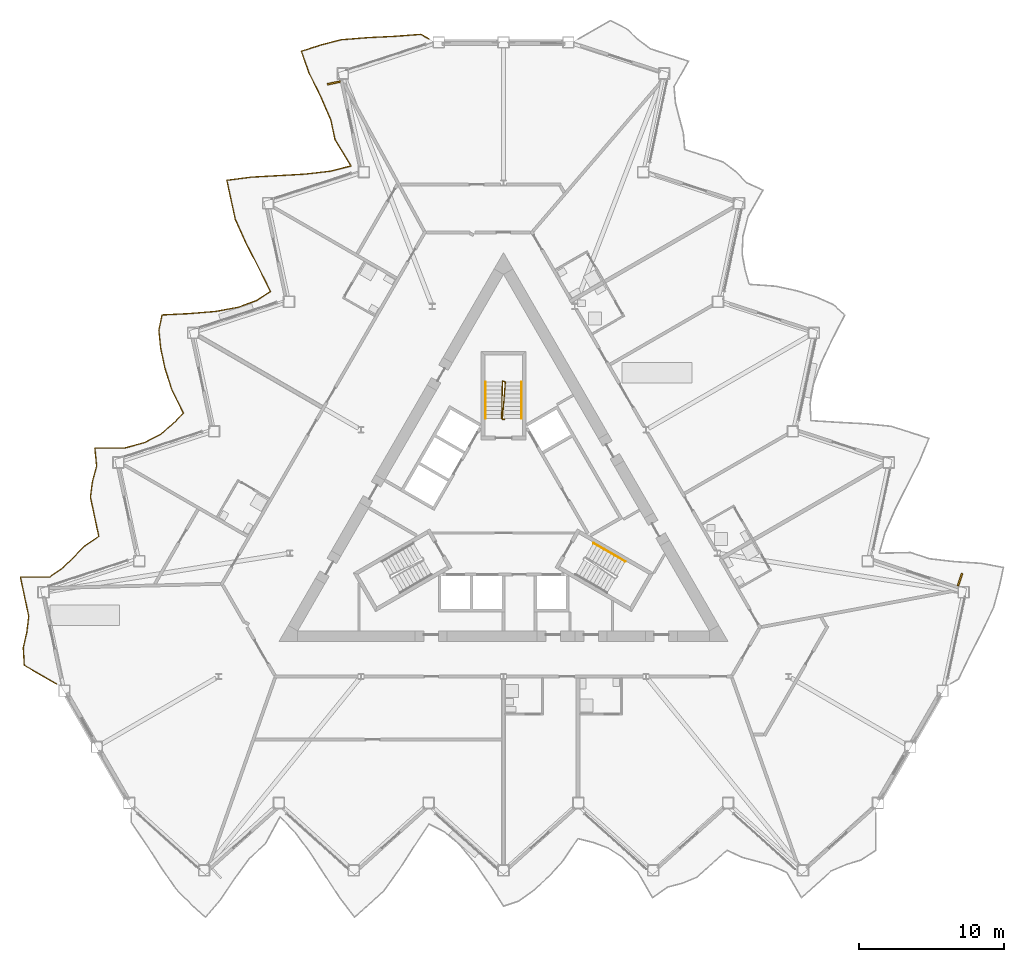
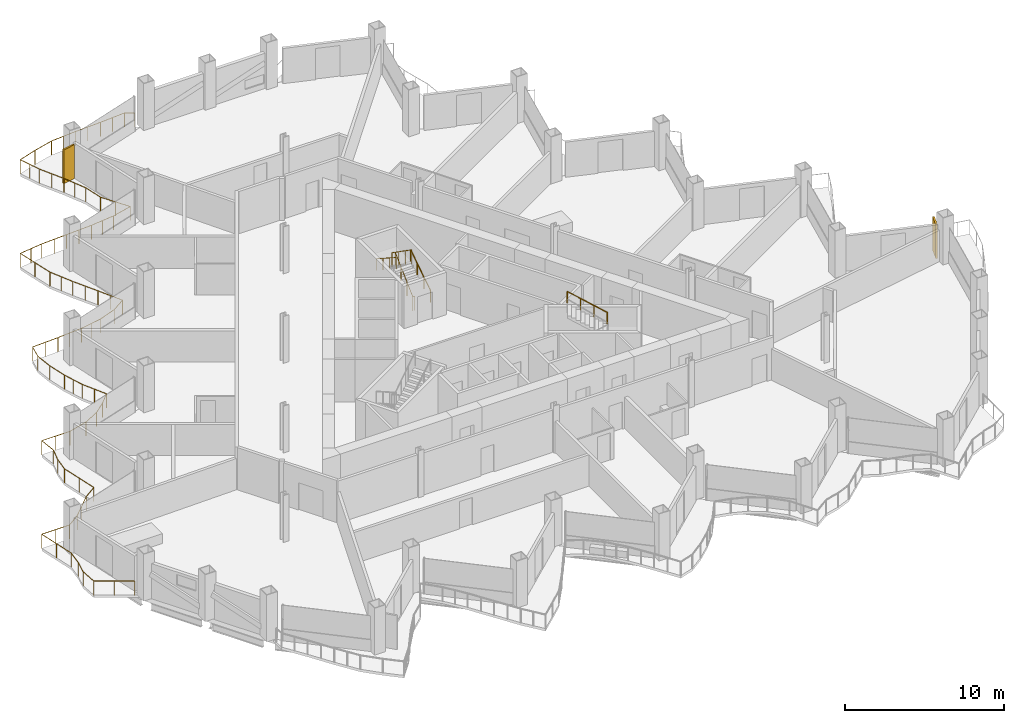
# One storey, part 19 of 22: 5 railings, 2 shading devices.
"""IFC4 building model written with IfcOpenShell, lengths in metres."""

from ifc_helpers import new_model, si_unit, direction, frame, origin, origin_2d, place, context, subcontext, project, spatial, rectangle, circle, extrude, material, layer, layer_set, type_object, element, save


model = new_model("IFC4")

# Units and contexts
model_context = context("Model", 3, precision=1e-05, world=origin(), true_north=direction((0.0, 1.0)))
body_context = subcontext(model_context, "Body", "Model", "MODEL_VIEW")
ifc_project = project(units=[si_unit("LENGTHUNIT", "METRE"), si_unit("AREAUNIT", "SQUARE_METRE"), si_unit("VOLUMEUNIT", "CUBIC_METRE"), si_unit("PLANEANGLEUNIT", "RADIAN"), si_unit("MASSUNIT", "GRAM", prefix="KILO")], contexts=[model_context])

# Site, building, storey
site_placement = place(None, origin())
site = spatial("IfcSite", under=ifc_project, at=site_placement, CompositionType="ELEMENT")
building_placement = place(site_placement, origin())
building = spatial("IfcBuilding", under=site, at=building_placement, Name="Cormorant Prow Tower", CompositionType="ELEMENT")
storey_placement = place(building_placement, frame((0.0, 0.0, 194.39990234375)))
storey = spatial("IfcBuildingStorey", under=building, at=storey_placement, Name="L42", CompositionType="ELEMENT", Elevation=194.39990234375)

# Railings
ifc_material_1 = material(Name="Aluminium 6063-T6", Category="aluminium")
railing_type_1 = type_object("IfcRailingType", Name="Balcony guard 1100", PredefinedType="GUARDRAIL", material=ifc_material_1)
railing_1_placement = place(storey_placement, frame((-5.148681640625, 32.639892578125, 0.0)))
element("IfcRailing", 1, at=railing_1_placement, inside=storey, type_object=railing_type_1, Name="Balcony guard WNW", PredefinedType="GUARDRAIL", context=body_context, shape_type="SweptSolid", body=[
    extrude(circle(Radius=0.02392578125, at=origin_2d()), frame((0.0, 0.0, 1.076171875), z_axis=(-0.866038622153, 0.499977104415, 0.0), x_axis=(-0.499977104415, -0.866038622153, 0.0)), (0.0, 0.0, 1.0), 0.63623046875),
    extrude(circle(Radius=0.02392578125, at=origin_2d()), frame((-0.551025390625, 0.318115234375, 1.076171875), z_axis=(-0.997242522475, -0.074211531238, 0.0), x_axis=(0.074211531238, -0.997242522475, 0.0)), (0.0, 0.0, 1.0), 1.825927734375),
    extrude(circle(Radius=0.02392578125, at=origin_2d()), frame((-2.371826171875, 0.1826171875, 1.076171875), z_axis=(-0.998823470509, -0.048494069334, 0.0), x_axis=(0.048494069334, -0.998823470509, 0.0)), (0.0, 0.0, 1.0), 1.89794921875),
    extrude(circle(Radius=0.02392578125, at=origin_2d()), frame((-4.267578125, 0.090576171875, 1.076171875), z_axis=(-0.996760989891, -0.080420948961, 0.0), x_axis=(0.080420948961, -0.996760989891, 0.0)), (0.0, 0.0, 1.0), 1.809326171875),
    extrude(circle(Radius=0.02392578125, at=origin_2d()), frame((-6.071044921875, -0.054931640625, 1.076171875), z_axis=(-0.967608412094, -0.2524558592, 0.0), x_axis=(0.2524558592, -0.967608412094, 0.0)), (0.0, 0.0, 1.0), 1.463134765625),
    extrude(circle(Radius=0.02392578125, at=origin_2d()), frame((-7.48681640625, -0.42431640625, 1.076171875), z_axis=(-0.951022391845, -0.309121998909, 0.0), x_axis=(0.309121998909, -0.951022391845, 0.0)), (0.0, 0.0, 1.0), 1.3828125),
    extrude(circle(Radius=0.02392578125, at=origin_2d()), frame((-8.802001953125, -0.851806640625, 1.076171875), z_axis=(0.332771631178, -0.943007445084, 0.0), x_axis=(0.943007445084, 0.332771631178, 0.0)), (0.0, 0.0, 1.0), 1.580322265625),
    extrude(circle(Radius=0.02392578125, at=origin_2d()), frame((-8.276123046875, -2.342041015625, 1.076171875), z_axis=(0.443787456964, -0.896132073436, 0.0), x_axis=(0.896132073436, 0.443787456964, 0.0)), (0.0, 0.0, 1.0), 1.8544921875),
    extrude(circle(Radius=0.02392578125, at=origin_2d()), frame((-7.453125, -4.00390625, 1.076171875), z_axis=(0.39655279315, -0.918011918357, 0.0), x_axis=(0.918011918357, 0.39655279315, 0.0)), (0.0, 0.0, 1.0), 1.721923828125),
    extrude(circle(Radius=0.02392578125, at=origin_2d()), frame((-6.770263671875, -5.584716796875, 1.076171875), z_axis=(0.207949539051, -0.978139555078, 0.0), x_axis=(0.978139555078, 0.207949539051, 0.0)), (0.0, 0.0, 1.0), 1.383056640625),
    extrude(circle(Radius=0.02392578125, at=origin_2d()), frame((-6.482666015625, -6.9375, 1.076171875), z_axis=(0.51860821438, -0.855011999903, 0.0), x_axis=(0.855011999903, 0.51860821438, 0.0)), (0.0, 0.0, 1.0), 2.1357421875),
    extrude(circle(Radius=0.02392578125, at=origin_2d()), frame((-5.375, -8.763671875, 1.076171875), z_axis=(-0.969967286185, -0.243235408052, 0.0), x_axis=(0.243235408052, -0.969967286185, 0.0)), (0.0, 0.0, 1.0), 1.4775390625),
    extrude(circle(Radius=0.02392578125, at=origin_2d()), frame((-6.80810546875, -9.123046875, 1.076171875), z_axis=(-0.993265315285, -0.115862044915, 0.0), x_axis=(0.115862044915, -0.993265315285, 0.0)), (0.0, 0.0, 1.0), 1.721435546875),
    extrude(circle(Radius=0.02392578125, at=origin_2d()), frame((-8.51806640625, -9.322509765625, 1.076171875), z_axis=(-0.998433411104, -0.055952869383, 0.0), x_axis=(0.055952869383, -0.998433411104, 0.0)), (0.0, 0.0, 1.0), 1.876220703125),
    extrude(circle(Radius=0.02392578125, at=origin_2d()), frame((-10.391357421875, -9.427490234375, 1.076171875), z_axis=(-0.998473917149, -0.055225327276, 0.0), x_axis=(0.055225327276, -0.998473917149, 0.0)), (0.0, 0.0, 1.0), 1.87890625),
    extrude(circle(Radius=0.02392578125, at=origin_2d()), frame((-12.267333984375, -9.53125, 1.076171875), z_axis=(-0.991411402956, -0.130780082923, 0.0), x_axis=(0.130780082923, -0.991411402956, 0.0)), (0.0, 0.0, 1.0), 1.6875),
    extrude(circle(Radius=0.02392578125, at=origin_2d()), frame((-13.9404296875, -9.751953125, 1.076171875), z_axis=(0.207985451478, -0.978131919515, 0.0), x_axis=(0.978131919515, 0.207985451478, 0.0)), (0.0, 0.0, 1.0), 1.3828125),
    extrude(circle(Radius=0.02392578125, at=origin_2d()), frame((-13.65283203125, -11.1044921875, 1.076171875), z_axis=(0.214701160667, -0.9766797897, 0.0), x_axis=(0.9766797897, 0.214701160667, 0.0)), (0.0, 0.0, 1.0), 1.391845703125),
    extrude(circle(Radius=0.02392578125, at=origin_2d()), frame((-13.35400390625, -12.4638671875, 1.076171875), z_axis=(0.413094281696, -0.910688264133, 0.0), x_axis=(0.910688264133, 0.413094281696, 0.0)), (0.0, 0.0, 1.0), 1.765380859375),
    extrude(circle(Radius=0.02392578125, at=origin_2d()), frame((-12.624755859375, -14.071533203125, 1.076171875), z_axis=(0.45514973484, -0.890414913888, 0.0), x_axis=(0.890414913888, 0.45514973484, 0.0)), (0.0, 0.0, 1.0), 1.890869140625),
    extrude(circle(Radius=0.02392578125, at=origin_2d()), frame((-11.76416015625, -15.755126953125, 1.076171875), z_axis=(0.445004946101, -0.895528111198, 0.0), x_axis=(0.895528111198, 0.445004946101, 0.0)), (0.0, 0.0, 1.0), 1.858154296875),
    extrude(circle(Radius=0.02392578125, at=origin_2d()), frame((-10.937255859375, -17.419189453125, 1.076171875), z_axis=(-0.837454583753, -0.546506925987, 0.0), x_axis=(0.546506925987, -0.837454583753, 0.0)), (0.0, 0.0, 1.0), 1.152099609375),
    extrude(circle(Radius=0.02392578125, at=origin_2d()), frame((-11.902099609375, -18.048828125, 1.076171875), z_axis=(-0.938221470965, -0.346035361518, 0.0), x_axis=(0.346035361518, -0.938221470965, 0.0)), (0.0, 0.0, 1.0), 1.3369140625),
    extrude(circle(Radius=0.02392578125, at=origin_2d()), frame((-13.156494140625, -18.511474609375, 1.076171875), z_axis=(-0.98375897947, -0.179494485466, 0.0), x_axis=(0.179494485466, -0.98375897947, 0.0)), (0.0, 0.0, 1.0), 1.58740234375),
    extrude(circle(Radius=0.02392578125, at=origin_2d()), frame((-14.718017578125, -18.79638671875, 1.076171875), z_axis=(-0.996586702739, -0.082552673638, 0.0), x_axis=(0.082552673638, -0.996586702739, 0.0)), (0.0, 0.0, 1.0), 1.803955078125),
    extrude(circle(Radius=0.02392578125, at=origin_2d()), frame((-16.515869140625, -18.9453125, 1.076171875), z_axis=(-0.998816623343, -0.048634894193, 0.0), x_axis=(0.048634894193, -0.998816623343, 0.0)), (0.0, 0.0, 1.0), 1.8974609375),
    extrude(circle(Radius=0.02392578125, at=origin_2d()), frame((-18.4111328125, -19.03759765625, 1.076171875), z_axis=(-0.206397409922, -0.978468246382, 0.0), x_axis=(0.978468246382, -0.206397409922, 0.0)), (0.0, 0.0, 1.0), 1.0810546875),
    extrude(circle(Radius=0.02392578125, at=origin_2d()), frame((-18.63427734375, -20.095458984375, 1.076171875), z_axis=(0.102761274758, -0.994706047237, 0.0), x_axis=(0.994706047237, 0.102761274758, 0.0)), (0.0, 0.0, 1.0), 1.268798828125),
    extrude(circle(Radius=0.02392578125, at=origin_2d()), frame((-18.50390625, -21.357421875, 1.076171875), z_axis=(0.207949539051, -0.978139555078, 0.0), x_axis=(0.978139555078, 0.207949539051, 0.0)), (0.0, 0.0, 1.0), 1.383056640625),
    extrude(circle(Radius=0.02392578125, at=origin_2d()), frame((-18.21630859375, -22.710205078125, 1.076171875), z_axis=(0.303626216772, -0.952791226077, 0.0), x_axis=(0.952791226077, 0.303626216772, 0.0)), (0.0, 0.0, 1.0), 1.526123046875),
    extrude(circle(Radius=0.02392578125, at=origin_2d()), frame((-17.7529296875, -24.164306640625, 1.076171875), z_axis=(0.437991459779, -0.898979132773, 0.0), x_axis=(0.898979132773, 0.437991459779, 0.0)), (0.0, 0.0, 1.0), 1.836669921875),
    extrude(circle(Radius=0.02392578125, at=origin_2d()), frame((-16.948486328125, -25.8154296875, 1.076171875), z_axis=(-0.69478777772, -0.719214810701, 0.0), x_axis=(0.719214810701, -0.69478777772, 0.0)), (0.0, 0.0, 1.0), 1.059326171875),
    extrude(circle(Radius=0.02392578125, at=origin_2d()), frame((-17.6845703125, -26.577392578125, 1.076171875), z_axis=(-0.767709135286, -0.640798473468, 0.0), x_axis=(0.640798473468, -0.767709135286, 0.0)), (0.0, 0.0, 1.0), 1.094482421875),
    extrude(circle(Radius=0.02392578125, at=origin_2d()), frame((-18.52490234375, -27.27880859375, 1.076171875), z_axis=(-0.887141360466, -0.461497786072, 0.0), x_axis=(0.461497786072, -0.887141360466, 0.0)), (0.0, 0.0, 1.0), 1.21875),
    extrude(circle(Radius=0.02392578125, at=origin_2d()), frame((-19.606201171875, -27.84130859375, 1.076171875), z_axis=(-0.96382778081, -0.266525812894, 0.0), x_axis=(0.266525812894, -0.96382778081, 0.0)), (0.0, 0.0, 1.0), 1.44189453125),
    extrude(circle(Radius=0.02392578125, at=origin_2d()), frame((-20.995849609375, -28.2255859375, 1.076171875), z_axis=(-0.999999653356, -0.000832639178, 0.0), x_axis=(0.000832639178, -0.999999653356, 0.0)), (0.0, 0.0, 1.0), 2.052490234375),
    extrude(circle(Radius=0.02392578125, at=origin_2d()), frame((-23.04833984375, -28.227294921875, 1.076171875), z_axis=(0.094480173238, -0.99552674342, 0.0), x_axis=(0.99552674342, 0.094480173238, 0.0)), (0.0, 0.0, 1.0), 1.260986328125),
    extrude(circle(Radius=0.02392578125, at=origin_2d()), frame((-22.92919921875, -29.482666015625, 1.076171875), z_axis=(-0.266754217581, -0.963764591279, 0.0), x_axis=(0.963764591279, -0.266754217581, 0.0)), (0.0, 0.0, 1.0), 1.061767578125),
    extrude(circle(Radius=0.02392578125, at=origin_2d()), frame((-23.21240234375, -30.505859375, 1.076171875), z_axis=(-0.128026984945, -0.991770684748, 0.0), x_axis=(0.991770684748, -0.128026984945, 0.0)), (0.0, 0.0, 1.0), 1.11376953125),
    extrude(circle(Radius=0.02392578125, at=origin_2d()), frame((-23.35498046875, -31.6103515625, 1.076171875), z_axis=(0.207985451478, -0.978131919515, 0.0), x_axis=(0.978131919515, 0.207985451478, 0.0)), (0.0, 0.0, 1.0), 1.3828125),
    extrude(circle(Radius=0.02392578125, at=origin_2d()), frame((-23.0673828125, -32.962890625, 1.076171875), z_axis=(0.207780635717, -0.978175448179, 0.0), x_axis=(0.978175448179, 0.207780635717, 0.0)), (0.0, 0.0, 1.0), 1.383056640625),
    extrude(circle(Radius=0.02392578125, at=origin_2d()), frame((-22.780029296875, -34.315673828125, 1.076171875), z_axis=(-0.822377714509, -0.568941908, 0.0), x_axis=(0.568941908, -0.822377714509, 0.0)), (0.0, 0.0, 1.0), 1.13671875),
    extrude(circle(Radius=0.02392578125, at=origin_2d()), frame((-23.71484375, -34.96240234375, 1.076171875), z_axis=(-0.7061881636, -0.708024206924, 0.0), x_axis=(0.708024206924, -0.7061881636, 0.0)), (0.0, 0.0, 1.0), 1.063720703125),
    extrude(circle(Radius=0.02392578125, at=origin_2d()), frame((-24.466064453125, -35.715576171875, 1.076171875), z_axis=(-0.713599333465, -0.700554060211, 0.0), x_axis=(0.700554060211, -0.713599333465, 0.0)), (0.0, 0.0, 1.0), 1.066650390625),
    extrude(circle(Radius=0.02392578125, at=origin_2d()), frame((-25.227294921875, -36.462890625, 1.076171875), z_axis=(-0.820009529366, -0.572349868306, 0.0), x_axis=(0.572349868306, -0.820009529366, 0.0)), (0.0, 0.0, 1.0), 1.134765625),
    extrude(circle(Radius=0.02392578125, at=origin_2d()), frame((-26.15771484375, -37.1123046875, 1.076171875), z_axis=(-0.99997218211, -0.007458887788, 0.0), x_axis=(0.007458887788, -0.99997218211, 0.0)), (0.0, 0.0, 1.0), 2.029296875),
    extrude(circle(Radius=0.02392578125, at=origin_2d()), frame((-28.18701171875, -37.12744140625, 1.076171875), z_axis=(0.207985451478, -0.978131919515, 0.0), x_axis=(0.978131919515, 0.207985451478, 0.0)), (0.0, 0.0, 1.0), 1.3828125),
    extrude(circle(Radius=0.02392578125, at=origin_2d()), frame((-27.8994140625, -38.47998046875, 1.076171875), z_axis=(0.207949539051, -0.978139555078, 0.0), x_axis=(0.978139555078, 0.207949539051, 0.0)), (0.0, 0.0, 1.0), 1.383056640625),
    extrude(circle(Radius=0.02392578125, at=origin_2d()), frame((-27.61181640625, -39.832763671875, 1.076171875), z_axis=(-0.119248565698, -0.992864431621, 0.0), x_axis=(0.992864431621, -0.119248565698, 0.0)), (0.0, 0.0, 1.0), 1.117919921875),
    extrude(circle(Radius=0.02392578125, at=origin_2d()), frame((-27.7451171875, -40.942626953125, 1.076171875), z_axis=(-0.225656072013, -0.974207029929, 0.0), x_axis=(0.974207029929, -0.225656072013, 0.0)), (0.0, 0.0, 1.0), 1.074462890625),
    extrude(circle(Radius=0.02392578125, at=origin_2d()), frame((-27.987548828125, -41.9892578125, 1.076171875), z_axis=(0.056240462281, -0.998417252657, 0.0), x_axis=(0.998417252657, 0.056240462281, 0.0)), (0.0, 0.0, 1.0), 1.228515625),
    extrude(circle(Radius=0.02392578125, at=origin_2d()), frame((-27.91845703125, -43.2158203125, 1.076171875), z_axis=(0.866013163002, -0.500021201058, 0.0), x_axis=(0.500021201058, 0.866013163002, 0.0)), (0.0, 0.0, 1.0), 2.5703125),
    extrude(circle(Radius=0.02099609375, at=origin_2d()), origin(), (0.0, 0.0, 1.0), 1.052001953125),
    extrude(circle(Radius=0.02099609375, at=origin_2d()), frame((-0.551025390625, 0.318115234375, 0.0)), (0.0, 0.0, 1.0), 1.052001953125),
    extrude(circle(Radius=0.02099609375, at=origin_2d()), frame((-1.46142578125, 0.25048828125, 0.0)), (0.0, 0.0, 1.0), 1.052001953125),
    extrude(circle(Radius=0.02099609375, at=origin_2d()), frame((-2.371826171875, 0.1826171875, 0.0)), (0.0, 0.0, 1.0), 1.052001953125),
    extrude(circle(Radius=0.02099609375, at=origin_2d()), frame((-3.31982421875, 0.13671875, 0.0)), (0.0, 0.0, 1.0), 1.052001953125),
    extrude(circle(Radius=0.02099609375, at=origin_2d()), frame((-4.267578125, 0.090576171875, 0.0)), (0.0, 0.0, 1.0), 1.052001953125),
    extrude(circle(Radius=0.02099609375, at=origin_2d()), frame((-5.16943359375, 0.017822265625, 0.0)), (0.0, 0.0, 1.0), 1.052001953125),
    extrude(circle(Radius=0.02099609375, at=origin_2d()), frame((-6.071044921875, -0.054931640625, 0.0)), (0.0, 0.0, 1.0), 1.052001953125),
    extrude(circle(Radius=0.02099609375, at=origin_2d()), frame((-7.48681640625, -0.42431640625, 0.0)), (0.0, 0.0, 1.0), 1.052001953125),
    extrude(circle(Radius=0.02099609375, at=origin_2d()), frame((-8.802001953125, -0.851806640625, 0.0)), (0.0, 0.0, 1.0), 1.052001953125),
    extrude(circle(Radius=0.02099609375, at=origin_2d()), frame((-8.5390625, -1.596923828125, 0.0)), (0.0, 0.0, 1.0), 1.052001953125),
    extrude(circle(Radius=0.02099609375, at=origin_2d()), frame((-8.276123046875, -2.342041015625, 0.0)), (0.0, 0.0, 1.0), 1.052001953125),
    extrude(circle(Radius=0.02099609375, at=origin_2d()), frame((-7.86474609375, -3.1728515625, 0.0)), (0.0, 0.0, 1.0), 1.052001953125),
    extrude(circle(Radius=0.02099609375, at=origin_2d()), frame((-7.453125, -4.00390625, 0.0)), (0.0, 0.0, 1.0), 1.052001953125),
    extrude(circle(Radius=0.02099609375, at=origin_2d()), frame((-7.11181640625, -4.79443359375, 0.0)), (0.0, 0.0, 1.0), 1.052001953125),
    extrude(circle(Radius=0.02099609375, at=origin_2d()), frame((-6.770263671875, -5.584716796875, 0.0)), (0.0, 0.0, 1.0), 1.052001953125),
    extrude(circle(Radius=0.02099609375, at=origin_2d()), frame((-6.482666015625, -6.9375, 0.0)), (0.0, 0.0, 1.0), 1.052001953125),
    extrude(circle(Radius=0.02099609375, at=origin_2d()), frame((-5.9287109375, -7.8505859375, 0.0)), (0.0, 0.0, 1.0), 1.052001953125),
    extrude(circle(Radius=0.02099609375, at=origin_2d()), frame((-5.375, -8.763671875, 0.0)), (0.0, 0.0, 1.0), 1.052001953125),
    extrude(circle(Radius=0.02099609375, at=origin_2d()), frame((-6.80810546875, -9.123046875, 0.0)), (0.0, 0.0, 1.0), 1.052001953125),
    extrude(circle(Radius=0.02099609375, at=origin_2d()), frame((-7.6630859375, -9.22265625, 0.0)), (0.0, 0.0, 1.0), 1.052001953125),
    extrude(circle(Radius=0.02099609375, at=origin_2d()), frame((-8.51806640625, -9.322509765625, 0.0)), (0.0, 0.0, 1.0), 1.052001953125),
    extrude(circle(Radius=0.02099609375, at=origin_2d()), frame((-9.45458984375, -9.375, 0.0)), (0.0, 0.0, 1.0), 1.052001953125),
    extrude(circle(Radius=0.02099609375, at=origin_2d()), frame((-10.391357421875, -9.427490234375, 0.0)), (0.0, 0.0, 1.0), 1.052001953125),
    extrude(circle(Radius=0.02099609375, at=origin_2d()), frame((-11.329345703125, -9.4794921875, 0.0)), (0.0, 0.0, 1.0), 1.052001953125),
    extrude(circle(Radius=0.02099609375, at=origin_2d()), frame((-12.267333984375, -9.53125, 0.0)), (0.0, 0.0, 1.0), 1.052001953125),
    extrude(circle(Radius=0.02099609375, at=origin_2d()), frame((-13.10400390625, -9.6416015625, 0.0)), (0.0, 0.0, 1.0), 1.052001953125),
    extrude(circle(Radius=0.02099609375, at=origin_2d()), frame((-13.9404296875, -9.751953125, 0.0)), (0.0, 0.0, 1.0), 1.052001953125),
    extrude(circle(Radius=0.02099609375, at=origin_2d()), frame((-13.65283203125, -11.1044921875, 0.0)), (0.0, 0.0, 1.0), 1.052001953125),
    extrude(circle(Radius=0.02099609375, at=origin_2d()), frame((-13.35400390625, -12.4638671875, 0.0)), (0.0, 0.0, 1.0), 1.052001953125),
    extrude(circle(Radius=0.02099609375, at=origin_2d()), frame((-12.9892578125, -13.267578125, 0.0)), (0.0, 0.0, 1.0), 1.052001953125),
    extrude(circle(Radius=0.02099609375, at=origin_2d()), frame((-12.624755859375, -14.071533203125, 0.0)), (0.0, 0.0, 1.0), 1.052001953125),
    extrude(circle(Radius=0.02099609375, at=origin_2d()), frame((-12.1943359375, -14.913330078125, 0.0)), (0.0, 0.0, 1.0), 1.052001953125),
    extrude(circle(Radius=0.02099609375, at=origin_2d()), frame((-11.76416015625, -15.755126953125, 0.0)), (0.0, 0.0, 1.0), 1.052001953125),
    extrude(circle(Radius=0.02099609375, at=origin_2d()), frame((-11.3505859375, -16.587158203125, 0.0)), (0.0, 0.0, 1.0), 1.052001953125),
    extrude(circle(Radius=0.02099609375, at=origin_2d()), frame((-10.937255859375, -17.419189453125, 0.0)), (0.0, 0.0, 1.0), 1.052001953125),
    extrude(circle(Radius=0.02099609375, at=origin_2d()), frame((-11.902099609375, -18.048828125, 0.0)), (0.0, 0.0, 1.0), 1.052001953125),
    extrude(circle(Radius=0.02099609375, at=origin_2d()), frame((-13.156494140625, -18.511474609375, 0.0)), (0.0, 0.0, 1.0), 1.052001953125),
    extrude(circle(Radius=0.02099609375, at=origin_2d()), frame((-13.937255859375, -18.65380859375, 0.0)), (0.0, 0.0, 1.0), 1.052001953125),
    extrude(circle(Radius=0.02099609375, at=origin_2d()), frame((-14.718017578125, -18.79638671875, 0.0)), (0.0, 0.0, 1.0), 1.052001953125),
    extrude(circle(Radius=0.02099609375, at=origin_2d()), frame((-15.616943359375, -18.870849609375, 0.0)), (0.0, 0.0, 1.0), 1.052001953125),
    extrude(circle(Radius=0.02099609375, at=origin_2d()), frame((-16.515869140625, -18.9453125, 0.0)), (0.0, 0.0, 1.0), 1.052001953125),
    extrude(circle(Radius=0.02099609375, at=origin_2d()), frame((-17.46337890625, -18.991455078125, 0.0)), (0.0, 0.0, 1.0), 1.052001953125),
    extrude(circle(Radius=0.02099609375, at=origin_2d()), frame((-18.4111328125, -19.03759765625, 0.0)), (0.0, 0.0, 1.0), 1.052001953125),
    extrude(circle(Radius=0.02099609375, at=origin_2d()), frame((-18.63427734375, -20.095458984375, 0.0)), (0.0, 0.0, 1.0), 1.052001953125),
    extrude(circle(Radius=0.02099609375, at=origin_2d()), frame((-18.50390625, -21.357421875, 0.0)), (0.0, 0.0, 1.0), 1.052001953125),
    extrude(circle(Radius=0.02099609375, at=origin_2d()), frame((-18.21630859375, -22.710205078125, 0.0)), (0.0, 0.0, 1.0), 1.052001953125),
    extrude(circle(Radius=0.02099609375, at=origin_2d()), frame((-17.984619140625, -23.437255859375, 0.0)), (0.0, 0.0, 1.0), 1.052001953125),
    extrude(circle(Radius=0.02099609375, at=origin_2d()), frame((-17.7529296875, -24.164306640625, 0.0)), (0.0, 0.0, 1.0), 1.052001953125),
    extrude(circle(Radius=0.02099609375, at=origin_2d()), frame((-17.3505859375, -24.98974609375, 0.0)), (0.0, 0.0, 1.0), 1.052001953125),
    extrude(circle(Radius=0.02099609375, at=origin_2d()), frame((-16.948486328125, -25.8154296875, 0.0)), (0.0, 0.0, 1.0), 1.052001953125),
    extrude(circle(Radius=0.02099609375, at=origin_2d()), frame((-17.6845703125, -26.577392578125, 0.0)), (0.0, 0.0, 1.0), 1.052001953125),
    extrude(circle(Radius=0.02099609375, at=origin_2d()), frame((-18.52490234375, -27.27880859375, 0.0)), (0.0, 0.0, 1.0), 1.052001953125),
    extrude(circle(Radius=0.02099609375, at=origin_2d()), frame((-19.606201171875, -27.84130859375, 0.0)), (0.0, 0.0, 1.0), 1.052001953125),
    extrude(circle(Radius=0.02099609375, at=origin_2d()), frame((-20.995849609375, -28.2255859375, 0.0)), (0.0, 0.0, 1.0), 1.052001953125),
    extrude(circle(Radius=0.02099609375, at=origin_2d()), frame((-22.02197265625, -28.2265625, 0.0)), (0.0, 0.0, 1.0), 1.052001953125),
    extrude(circle(Radius=0.02099609375, at=origin_2d()), frame((-23.04833984375, -28.227294921875, 0.0)), (0.0, 0.0, 1.0), 1.052001953125),
    extrude(circle(Radius=0.02099609375, at=origin_2d()), frame((-22.92919921875, -29.482666015625, 0.0)), (0.0, 0.0, 1.0), 1.052001953125),
    extrude(circle(Radius=0.02099609375, at=origin_2d()), frame((-23.21240234375, -30.505859375, 0.0)), (0.0, 0.0, 1.0), 1.052001953125),
    extrude(circle(Radius=0.02099609375, at=origin_2d()), frame((-23.35498046875, -31.6103515625, 0.0)), (0.0, 0.0, 1.0), 1.052001953125),
    extrude(circle(Radius=0.02099609375, at=origin_2d()), frame((-23.0673828125, -32.962890625, 0.0)), (0.0, 0.0, 1.0), 1.052001953125),
    extrude(circle(Radius=0.02099609375, at=origin_2d()), frame((-22.780029296875, -34.315673828125, 0.0)), (0.0, 0.0, 1.0), 1.052001953125),
    extrude(circle(Radius=0.02099609375, at=origin_2d()), frame((-23.71484375, -34.96240234375, 0.0)), (0.0, 0.0, 1.0), 1.052001953125),
    extrude(circle(Radius=0.02099609375, at=origin_2d()), frame((-24.466064453125, -35.715576171875, 0.0)), (0.0, 0.0, 1.0), 1.052001953125),
    extrude(circle(Radius=0.02099609375, at=origin_2d()), frame((-25.227294921875, -36.462890625, 0.0)), (0.0, 0.0, 1.0), 1.052001953125),
    extrude(circle(Radius=0.02099609375, at=origin_2d()), frame((-26.15771484375, -37.1123046875, 0.0)), (0.0, 0.0, 1.0), 1.052001953125),
    extrude(circle(Radius=0.02099609375, at=origin_2d()), frame((-27.17236328125, -37.119873046875, 0.0)), (0.0, 0.0, 1.0), 1.052001953125),
    extrude(circle(Radius=0.02099609375, at=origin_2d()), frame((-28.18701171875, -37.12744140625, 0.0)), (0.0, 0.0, 1.0), 1.052001953125),
    extrude(circle(Radius=0.02099609375, at=origin_2d()), frame((-27.8994140625, -38.47998046875, 0.0)), (0.0, 0.0, 1.0), 1.052001953125),
    extrude(circle(Radius=0.02099609375, at=origin_2d()), frame((-27.61181640625, -39.832763671875, 0.0)), (0.0, 0.0, 1.0), 1.052001953125),
    extrude(circle(Radius=0.02099609375, at=origin_2d()), frame((-27.7451171875, -40.942626953125, 0.0)), (0.0, 0.0, 1.0), 1.052001953125),
    extrude(circle(Radius=0.02099609375, at=origin_2d()), frame((-27.987548828125, -41.9892578125, 0.0)), (0.0, 0.0, 1.0), 1.052001953125),
    extrude(circle(Radius=0.02099609375, at=origin_2d()), frame((-27.91845703125, -43.2158203125, 0.0)), (0.0, 0.0, 1.0), 1.052001953125),
    extrude(circle(Radius=0.02099609375, at=origin_2d()), frame((-26.8056640625, -43.8583984375, 0.0)), (0.0, 0.0, 1.0), 1.052001953125),
    extrude(circle(Radius=0.02099609375, at=origin_2d()), frame((-25.692626953125, -44.5009765625, 0.0)), (0.0, 0.0, 1.0), 1.052001953125),
])
ifc_material_2 = material(Name="Stainless steel", Category="steel")
railing_type_2 = type_object("IfcRailingType", Name="Stair guard 1100", PredefinedType="GUARDRAIL", material=ifc_material_2)
railing_2_placement = place(storey_placement, frame((0.074951171875, 6.40576171875, 0.0)))
element("IfcRailing", 2, at=railing_2_placement, inside=storey, type_object=railing_type_2, Name="L42 ST3 stair guard 1", PredefinedType="GUARDRAIL", context=body_context, shape_type="SweptSolid", body=[
    extrude(circle(Radius=0.02392578125, at=origin_2d()), frame((0.0, 0.0, 1.076171875), z_axis=(-1.0, 0.0, 0.0), x_axis=(0.0, -1.0, 0.0)), (0.0, 0.0, 1.0), 0.14990234375),
    extrude(circle(Radius=0.02392578125, at=origin_2d()), frame((-0.14990234375, 0.0, 1.076171875), z_axis=(0.063595540489, 0.817423998443, 0.572515164864), x_axis=(-0.996987254287, 0.077565551559, 0.0)), (0.0, 0.0, 1.0), 3.14404296875),
    extrude(circle(Radius=0.02392578125, at=origin_2d()), frame((0.050048828125, 2.570068359375, 2.8759765625), z_axis=(-0.970072785993, 0.242814311512, 0.0), x_axis=(-0.242814311512, -0.970072785993, 0.0)), (0.0, 0.0, 1.0), 0.2060546875),
    extrude(circle(Radius=0.02392578125, at=origin_2d()), frame((-0.14990234375, 2.6201171875, 2.8759765625), z_axis=(-0.01594855688, -0.818977845239, 0.573603462805), x_axis=(0.999810440751, -0.019470042781, 0.0)), (0.0, 0.0, 1.0), 3.13818359375),
    extrude(circle(Radius=0.02099609375, at=origin_2d()), origin(), (0.0, 0.0, 1.0), 1.052001953125),
    extrude(circle(Radius=0.02099609375, at=origin_2d()), frame((-0.14990234375, 0.0, 0.0)), (0.0, 0.0, 1.0), 1.052001953125),
    extrude(circle(Radius=0.02099609375, at=origin_2d()), frame((-0.083251953125, 0.856689453125, 0.60009765625)), (0.0, 0.0, 1.0), 1.052001953125),
    extrude(circle(Radius=0.02099609375, at=origin_2d()), frame((-0.0166015625, 1.71337890625, 1.199951171875)), (0.0, 0.0, 1.0), 1.052001953125),
    extrude(circle(Radius=0.02099609375, at=origin_2d()), frame((0.050048828125, 2.570068359375, 1.800048828125)), (0.0, 0.0, 1.0), 1.052001953125),
    extrude(circle(Radius=0.02099609375, at=origin_2d()), frame((-0.14990234375, 2.6201171875, 1.800048828125)), (0.0, 0.0, 1.0), 1.052001953125),
    extrude(circle(Radius=0.02099609375, at=origin_2d()), frame((-0.16650390625, 1.763427734375, 2.400146484375)), (0.0, 0.0, 1.0), 1.052001953125),
    extrude(circle(Radius=0.02099609375, at=origin_2d()), frame((-0.183349609375, 0.90673828125, 3.0)), (0.0, 0.0, 1.0), 1.052001953125),
    extrude(circle(Radius=0.02099609375, at=origin_2d()), frame((-0.199951171875, 0.050048828125, 3.60009765625)), (0.0, 0.0, 1.0), 1.052001953125),
])
ifc_material_3 = material(Name="Stainless steel", Category="steel")
railing_type_3 = type_object("IfcRailingType", Name="Stair handrail 900", PredefinedType="HANDRAIL", material=ifc_material_3)
railing_3_placement = place(storey_placement, frame((8.395263671875, -3.41064453125, 1.97998046875)))
element("IfcRailing", 3, at=railing_3_placement, inside=storey, type_object=railing_type_3, Name="L42 ST2 stair handrail 2", PredefinedType="HANDRAIL", context=body_context, shape_type="SweptSolid", body=[
    extrude(circle(Radius=0.02392578125, at=origin_2d()), frame((0.0, 0.0, 0.8759765625), z_axis=(-0.728463801763, 0.420584145978, 0.540785970299), x_axis=(-0.500004791531, -0.866022637375, 0.0)), (0.0, 0.0, 1.0), 2.995849609375),
    extrude(circle(Radius=0.02099609375, at=origin_2d()), origin(), (0.0, 0.0, 1.0), 0.851806640625),
    extrude(circle(Radius=0.02099609375, at=origin_2d()), frame((-0.7275390625, 0.419921875, 0.5400390625)), (0.0, 0.0, 1.0), 0.851806640625),
    extrude(circle(Radius=0.02099609375, at=origin_2d()), frame((-1.454833984375, 0.840087890625, 1.080078125)), (0.0, 0.0, 1.0), 0.851806640625),
    extrude(circle(Radius=0.02099609375, at=origin_2d()), frame((-2.182373046875, 1.260009765625, 1.6201171875)), (0.0, 0.0, 1.0), 0.851806640625),
])
railing_4_placement = place(storey_placement, frame((1.243896484375, 6.455810546875, 0.18017578125)))
element("IfcRailing", 4, at=railing_4_placement, inside=storey, type_object=railing_type_3, Name="L42 ST3 stair handrail 1", PredefinedType="HANDRAIL", context=body_context, shape_type="SweptSolid", body=[
    extrude(circle(Radius=0.02392578125, at=origin_2d()), frame((0.0, 0.0, 0.8759765625), z_axis=(0.0, 0.841199657755, 0.540724639528), x_axis=(-1.0, 0.0, 0.0)), (0.0, 0.0, 1.0), 2.995849609375),
    extrude(circle(Radius=0.02099609375, at=origin_2d()), origin(), (0.0, 0.0, 1.0), 0.851806640625),
    extrude(circle(Radius=0.02099609375, at=origin_2d()), frame((0.0, 0.840087890625, 0.5400390625)), (0.0, 0.0, 1.0), 0.851806640625),
    extrude(circle(Radius=0.02099609375, at=origin_2d()), frame((0.0, 1.679931640625, 1.079833984375)), (0.0, 0.0, 1.0), 0.851806640625),
    extrude(circle(Radius=0.02099609375, at=origin_2d()), frame((0.0, 2.52001953125, 1.619873046875)), (0.0, 0.0, 1.0), 0.851806640625),
])
railing_5_placement = place(storey_placement, frame((-1.243896484375, 8.975830078125, 1.97998046875)))
element("IfcRailing", 5, at=railing_5_placement, inside=storey, type_object=railing_type_3, Name="L42 ST3 stair handrail 2", PredefinedType="HANDRAIL", context=body_context, shape_type="SweptSolid", body=[
    extrude(circle(Radius=0.02392578125, at=origin_2d()), frame((0.0, 0.0, 0.8759765625), z_axis=(0.0, -0.841162588446, 0.540782303519), x_axis=(1.0, 0.0, 0.0)), (0.0, 0.0, 1.0), 2.995849609375),
    extrude(circle(Radius=0.02099609375, at=origin_2d()), origin(), (0.0, 0.0, 1.0), 0.851806640625),
    extrude(circle(Radius=0.02099609375, at=origin_2d()), frame((0.0, -0.840087890625, 0.5400390625)), (0.0, 0.0, 1.0), 0.851806640625),
    extrude(circle(Radius=0.02099609375, at=origin_2d()), frame((0.0, -1.679931640625, 1.080078125)), (0.0, 0.0, 1.0), 0.851806640625),
    extrude(circle(Radius=0.02099609375, at=origin_2d()), frame((0.0, -2.52001953125, 1.6201171875)), (0.0, 0.0, 1.0), 0.851806640625),
])

# Shading devices
ifc_material_4 = material(Name="Terracotta", Category="masonry")
ifc_layer = layer(ifc_material_4, 0.1201171875)
ifc_layer_set = layer_set([ifc_layer], Name="Terracotta")
shading_device_type = type_object("IfcShadingDeviceType", Name="Terracotta baguette fin 120x900x2600", PredefinedType="USERDEFINED", material=ifc_layer_set)
for number, where, z_axis, x_axis, name in (
    (6, (31.49169921875, -4.66552734375, 0.0), (0.0, 0.0, 1.0), (-0.951056477458, 0.309017113905, 0.0), "Baguette fin ENE01"),
    (7, (-11.70556640625, 29.60546875, 0.0), (0.0, 0.0, 1.0), (0.207911659303, -0.978147607432, 0.0), "Baguette fin WNW01"),
):
    element("IfcShadingDevice", number, at=place(storey_placement, frame(where, z_axis=z_axis, x_axis=x_axis)), inside=storey, type_object=shading_device_type, Name=name, ObjectType="BAGUETTE", PredefinedType="USERDEFINED", context=body_context, shape_type="SweptSolid", body=[
        extrude(rectangle(XDim=0.1201171875, YDim=0.89990234375, at=origin_2d()), origin(), (0.0, 0.0, 1.0), 2.60009765625),
    ])

save(model, "model.ifc")
